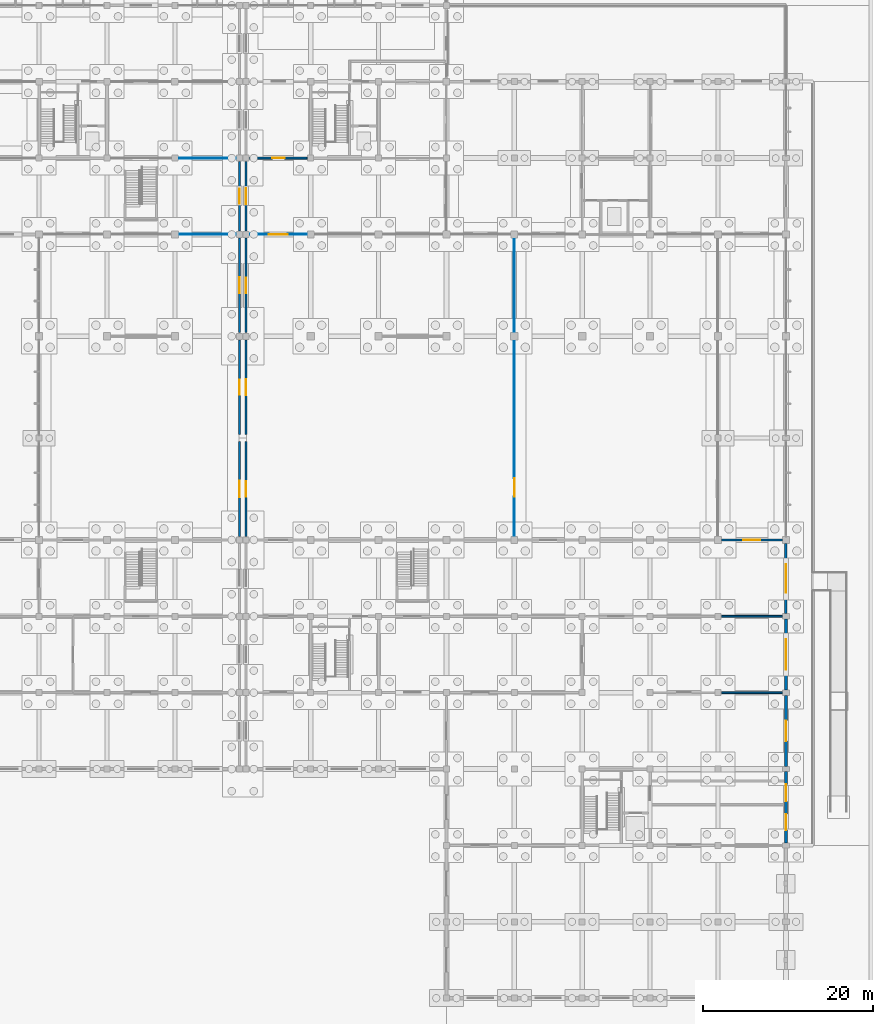
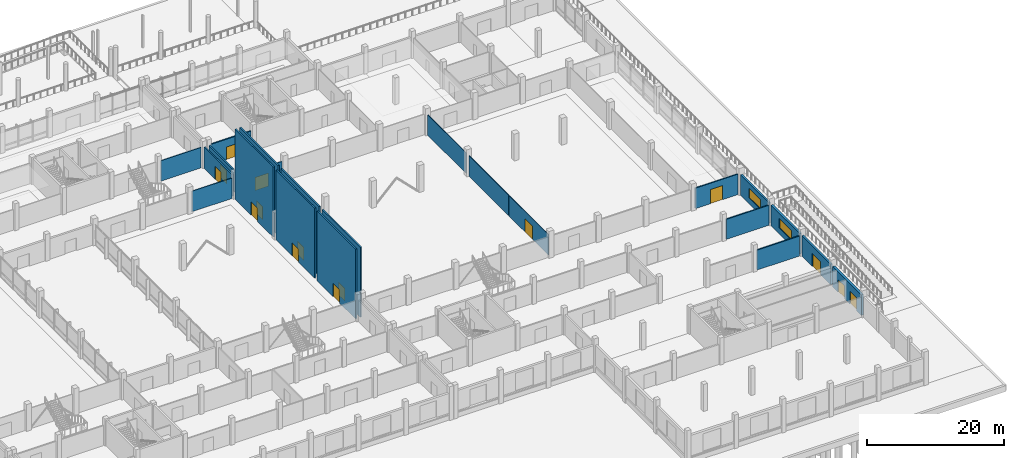
# One storey, part 54 of 72: 22 walls, 15 doors, 2 windows, 17 openings.
"""IFC4 building model written with IfcOpenShell, lengths in metres."""

from ifc_helpers import new_model, si_unit, direction, frame, frame_2d, origin, place, context, subcontext, project, spatial, rectangle, extrude, material, layer, layer_set, type_object, element, fill, save


model = new_model("IFC4")

# Units and contexts
model_context = context("Model", 3, precision=1e-05, world=origin(), true_north=direction((0.0, 1.0)))
body_context = subcontext(model_context, "Body", "Model", "MODEL_VIEW")
ifc_project = project(units=[si_unit("LENGTHUNIT", "METRE"), si_unit("AREAUNIT", "SQUARE_METRE"), si_unit("VOLUMEUNIT", "CUBIC_METRE"), si_unit("PLANEANGLEUNIT", "RADIAN"), si_unit("MASSUNIT", "GRAM", prefix="KILO"), si_unit("THERMODYNAMICTEMPERATUREUNIT", "KELVIN"), si_unit("POWERUNIT", "WATT")], contexts=[model_context])

# Site, building, storey
site_placement = place(None, origin())
site = spatial("IfcSite", under=ifc_project, at=site_placement, CompositionType="ELEMENT")
building_placement = place(site_placement, origin())
building = spatial("IfcBuilding", under=site, at=building_placement, Name="Kronsvod Quay Wholesale Market", CompositionType="ELEMENT")
storey_placement = place(building_placement, origin())
storey = spatial("IfcBuildingStorey", under=building, at=storey_placement, Name="L00", CompositionType="ELEMENT", Elevation=0.0)

# Wall, opening, door
ifc_material_1 = material(Name="Polyisocyanurate insulated cold-room panel")
ifc_layer_1 = layer(ifc_material_1, 0.195068359375)
ifc_layer_set_1 = layer_set([ifc_layer_1], Name="Polyisocyanurate insulated cold-room panel")
wall_type_1 = type_object("IfcWallType", Name="Wall_ColdInsul195", PredefinedType="PARTITIONING", material=ifc_layer_set_1)
wall_1_placement = place(storey_placement, frame((184.419921875, 54.0, 0.0), z_axis=(0.0, 0.0, 1.0), x_axis=(1.0, 0.0, 0.0)))
wall_1 = element("IfcWall", 1, at=wall_1_placement, inside=storey, type_object=wall_type_1, Name="PW-L00-0106", PredefinedType="PARTITIONING", context=body_context, shape_type="SweptSolid", body=[
    extrude(rectangle(XDim=7.16015625, YDim=0.195068359375, at=frame_2d((3.580078125, 0.0))), origin(), (0.0, 0.0, 1.0), 3.64990234375),
])
opening_1_placement = place(wall_1_placement, frame((2.580078125, 0.0, 0.0)))
opening_1 = element("IfcOpeningElement", 2, at=opening_1_placement, cuts=wall_1, Name="Opening D-0182", PredefinedType="OPENING", context=body_context, shape_type="SweptSolid", body=[
    extrude(rectangle(XDim=2.0, YDim=2.52001953125, at=frame_2d((1.0, 1.260009765625))), frame((0.0, 0.107421875, 0.0), z_axis=(0.0, -1.0, 0.0), x_axis=(1.0, 0.0, 0.0)), (0.0, 0.0, 1.0), 0.215087890625),
])
ifc_material_2 = material(Name="Insulated stainless cold-store door", Category="steel")
door_type_1 = type_object("IfcDoorType", Name="Door_ColdSlide200x252", OperationType="SLIDING_TO_RIGHT", PredefinedType="DOOR", material=ifc_material_2)
door_1_placement = place(opening_1_placement, origin())
door_1 = element("IfcDoor", 3, at=door_1_placement, inside=storey, type_object=door_type_1, Name="Interior Door D-0182", OperationType="SLIDING_TO_LEFT", OverallHeight=2.52001953125, OverallWidth=2.0, PredefinedType="DOOR", context=body_context, shape_type="SweptSolid", body=[
    extrude(rectangle(XDim=2.0, YDim=2.52001953125, at=frame_2d((1.0, 1.260009765625))), frame((0.0, 0.02490234375, 0.0), z_axis=(0.0, -1.0, 0.0), x_axis=(1.0, 0.0, 0.0)), (0.0, 0.0, 1.0), 0.050048828125),
])
fill(opening_1, door_1)

# Wall
ifc_material_3 = material(Name="Polyisocyanurate insulated cold-room panel")
ifc_layer_2 = layer(ifc_material_3, 0.2099609375)
ifc_layer_set_2 = layer_set([ifc_layer_2], Name="Polyisocyanurate insulated cold-room panel")
wall_type_2 = type_object("IfcWallType", Name="Wall_ColdInsul210", PredefinedType="PARTITIONING", material=ifc_layer_set_2)
wall_2_placement = place(storey_placement, frame((184.419921875, 45.0, 0.0), z_axis=(0.0, 0.0, 1.0), x_axis=(1.0, 0.0, 0.0)))
element("IfcWall", 4, at=wall_2_placement, inside=storey, type_object=wall_type_2, Name="PW-L00-0076", PredefinedType="PARTITIONING", context=body_context, shape_type="SweptSolid", body=[
    extrude(rectangle(XDim=7.16015625, YDim=0.2099609375, at=frame_2d((3.580078125, 0.0))), origin(), (0.0, 0.0, 1.0), 3.550048828125),
])

# Wall, openings, doors
ifc_material_4 = material(Name="Precast concrete C40/50", Category="concrete")
ifc_layer_3 = layer(ifc_material_4, 0.340087890625)
ifc_layer_set_3 = layer_set([ifc_layer_3], Name="Precast concrete C40/50")
wall_type_3 = type_object("IfcWallType", Name="Wall_ExtColdSandwich340", PredefinedType="SOLIDWALL", material=ifc_layer_set_3)
wall_3_placement = place(storey_placement, frame((192.0, 18.304931640625, 0.0), z_axis=(0.0, 0.0, 1.0), x_axis=(0.0, 1.0, 0.0)))
wall_3 = element("IfcWall", 5, at=wall_3_placement, inside=storey, type_object=wall_type_3, Name="EW-Y-L00-0094", PredefinedType="SOLIDWALL", context=body_context, shape_type="SweptSolid", body=[
    extrude(rectangle(XDim=8.39013671875, YDim=0.340087890625, at=frame_2d((4.195068359375, 0.0))), origin(), (0.0, 0.0, 1.0), 3.64990234375),
])
opening_2_placement = place(wall_3_placement, frame((1.5, 0.0, 0.0)))
opening_2 = element("IfcOpeningElement", 6, at=opening_2_placement, cuts=wall_3, Name="Opening ED-049", PredefinedType="OPENING", context=body_context, shape_type="SweptSolid", body=[
    extrude(rectangle(XDim=1.89990234375, YDim=2.300048828125, at=frame_2d((0.949951171875, 1.14990234375))), frame((0.0, 0.18017578125, 0.0), z_axis=(0.0, -1.0, 0.0), x_axis=(1.0, 0.0, 0.0)), (0.0, 0.0, 1.0), 0.360107421875),
])
opening_3_placement = place(wall_3_placement, frame((4.89501953125, 0.0, 0.0)))
opening_3 = element("IfcOpeningElement", 7, at=opening_3_placement, cuts=wall_3, Name="Opening ED-062", PredefinedType="OPENING", context=body_context, shape_type="SweptSolid", body=[
    extrude(rectangle(XDim=2.0, YDim=2.25, at=frame_2d((1.0, 1.125))), frame((0.0, 0.18017578125, 0.0), z_axis=(0.0, -1.0, 0.0), x_axis=(1.0, 0.0, 0.0)), (0.0, 0.0, 1.0), 0.360107421875),
])
ifc_material_5 = material(Name="Aluminium and safety glass", Category="aluminium")
door_type_2 = type_object("IfcDoorType", Name="Door_ExitDouble200x225", OperationType="DOUBLE_DOOR_SINGLE_SWING", PredefinedType="DOOR", material=ifc_material_5)
door_2_placement = place(opening_3_placement, frame((2.0, 0.0, 0.0), z_axis=(0.0, 0.0, 1.0), x_axis=(-1.0, 0.0, 0.0)))
door_2 = element("IfcDoor", 8, at=door_2_placement, inside=storey, type_object=door_type_2, Name="Street Exit Door ED-062", OperationType="DOUBLE_DOOR_SINGLE_SWING", OverallHeight=2.25, OverallWidth=2.0, PredefinedType="DOOR", context=body_context, shape_type="SweptSolid", body=[
    extrude(rectangle(XDim=2.0, YDim=2.25, at=frame_2d((1.0, 1.125))), frame((0.0, 0.02490234375, 0.0), z_axis=(0.0, -1.0, 0.0), x_axis=(1.0, 0.0, 0.0)), (0.0, 0.0, 1.0), 0.050048828125),
])
fill(opening_3, door_2)
ifc_material_6 = material(Name="Acoustic louvre painted steel", Category="steel")
door_type_3 = type_object("IfcDoorType", Name="Door_PlantDouble190x230", OperationType="DOUBLE_DOOR_SINGLE_SWING", PredefinedType="DOOR", material=ifc_material_6)
door_3_placement = place(opening_2_placement, frame((1.89990234375, 0.0, 0.0), z_axis=(0.0, 0.0, 1.0), x_axis=(-1.0, 0.0, 0.0)))
door_3 = element("IfcDoor", 9, at=door_3_placement, inside=storey, type_object=door_type_3, Name="Plant Service Exit Door ED-049", OperationType="DOUBLE_DOOR_SINGLE_SWING", OverallHeight=2.300048828125, OverallWidth=1.89990234375, PredefinedType="DOOR", context=body_context, shape_type="SweptSolid", body=[
    extrude(rectangle(XDim=1.89990234375, YDim=2.300048828125, at=frame_2d((0.949951171875, 1.14990234375))), frame((0.0, 0.02490234375, 0.0), z_axis=(0.0, -1.0, 0.0), x_axis=(1.0, 0.0, 0.0)), (0.0, 0.0, 1.0), 0.050048828125),
])
fill(opening_2, door_3)

# Wall, opening, door
wall_4_placement = place(storey_placement, frame((192.0, 27.304931640625, 0.0), z_axis=(0.0, 0.0, 1.0), x_axis=(0.0, 1.0, 0.0)))
wall_4 = element("IfcWall", 10, at=wall_4_placement, inside=storey, type_object=wall_type_3, Name="EW-Y-L00-0095", PredefinedType="SOLIDWALL", context=body_context, shape_type="SweptSolid", body=[
    extrude(rectangle(XDim=8.39013671875, YDim=0.340087890625, at=frame_2d((4.195068359375, 0.0))), origin(), (0.0, 0.0, 1.0), 3.64990234375),
])
opening_4_placement = place(wall_4_placement, frame((2.9951171875, 0.0, 0.0)))
opening_4 = element("IfcOpeningElement", 11, at=opening_4_placement, cuts=wall_4, Name="Opening ED-050", PredefinedType="OPENING", context=body_context, shape_type="SweptSolid", body=[
    extrude(rectangle(XDim=2.39990234375, YDim=2.300048828125, at=frame_2d((1.199951171875, 1.14990234375))), frame((0.0, 0.18017578125, 0.0), z_axis=(0.0, -1.0, 0.0), x_axis=(1.0, 0.0, 0.0)), (0.0, 0.0, 1.0), 0.360107421875),
])
ifc_material_7 = material(Name="Aluminium and safety glass", Category="aluminium")
door_type_4 = type_object("IfcDoorType", Name="Door_ExitDouble240x230", OperationType="DOUBLE_DOOR_SINGLE_SWING", PredefinedType="DOOR", material=ifc_material_7)
door_4_placement = place(opening_4_placement, frame((2.39990234375, 0.0, 0.0), z_axis=(0.0, 0.0, 1.0), x_axis=(-1.0, 0.0, 0.0)))
door_4 = element("IfcDoor", 12, at=door_4_placement, inside=storey, type_object=door_type_4, Name="Street Exit Door ED-050", OperationType="DOUBLE_DOOR_SINGLE_SWING", OverallHeight=2.300048828125, OverallWidth=2.39990234375, PredefinedType="DOOR", context=body_context, shape_type="SweptSolid", body=[
    extrude(rectangle(XDim=2.39990234375, YDim=2.300048828125, at=frame_2d((1.199951171875, 1.14990234375))), frame((0.0, 0.02490234375, 0.0), z_axis=(0.0, -1.0, 0.0), x_axis=(1.0, 0.0, 0.0)), (0.0, 0.0, 1.0), 0.050048828125),
])
fill(opening_4, door_4)

# Wall, opening, window
wall_5_placement = place(storey_placement, frame((192.0, 36.304931640625, 0.0), z_axis=(0.0, 0.0, 1.0), x_axis=(0.0, 1.0, 0.0)))
wall_5 = element("IfcWall", 13, at=wall_5_placement, inside=storey, type_object=wall_type_3, Name="EW-Y-L00-0096", PredefinedType="SOLIDWALL", context=body_context, shape_type="SweptSolid", body=[
    extrude(rectangle(XDim=8.39013671875, YDim=0.340087890625, at=frame_2d((4.195068359375, 0.0))), origin(), (0.0, 0.0, 1.0), 3.64990234375),
])
opening_5_placement = place(wall_5_placement, frame((2.39501953125, 0.0, 1.0)))
opening_5 = element("IfcOpeningElement", 14, at=opening_5_placement, cuts=wall_5, Name="Opening WIN-01", PredefinedType="OPENING", context=body_context, shape_type="SweptSolid", body=[
    extrude(rectangle(XDim=3.60009765625, YDim=1.699951171875, at=frame_2d((1.800048828125, 0.85009765625))), frame((0.0, 0.18017578125, 0.0), z_axis=(0.0, -1.0, 0.0), x_axis=(1.0, 0.0, 0.0)), (0.0, 0.0, 1.0), 0.360107421875),
])
ifc_material_8 = material(Name="Thermally broken aluminium and triple low-E glazing", Category="aluminium")
window_type_1 = type_object("IfcWindowType", Name="Win_W01", PartitioningType="TRIPLE_PANEL_HORIZONTAL", PredefinedType="WINDOW", material=ifc_material_8)
window_1_placement = place(opening_5_placement, origin())
window_1 = element("IfcWindow", 15, at=window_1_placement, inside=storey, type_object=window_type_1, Name="WIN-Y-L00-0001", OverallHeight=1.699951171875, OverallWidth=3.60009765625, PartitioningType="SINGLE_PANEL", PredefinedType="WINDOW", context=body_context, shape_type="SweptSolid", body=[
    extrude(rectangle(XDim=3.60009765625, YDim=1.699951171875, at=frame_2d((1.800048828125, 0.85009765625))), frame((0.0, 0.030029296875, 0.0), z_axis=(0.0, -1.0, 0.0), x_axis=(1.0, 0.0, 0.0)), (0.0, 0.0, 1.0), 0.06005859375),
])
fill(opening_5, window_1)

ifc_material_9 = material(Name="Precast concrete C40/50", Category="concrete")
ifc_layer_4 = layer(ifc_material_9, 0.300048828125)
ifc_layer_set_4 = layer_set([ifc_layer_4], Name="Precast concrete C40/50")
wall_type_4 = type_object("IfcWallType", Name="Wall_ExtPrecast300", PredefinedType="SOLIDWALL", material=ifc_layer_set_4)
wall_6_placement = place(storey_placement, frame((192.0, 45.304931640625, 0.0), z_axis=(0.0, 0.0, 1.0), x_axis=(0.0, 1.0, 0.0)))
wall_6 = element("IfcWall", 16, at=wall_6_placement, inside=storey, type_object=wall_type_4, Name="EW-Y-L00-0097", PredefinedType="SOLIDWALL", context=body_context, shape_type="SweptSolid", body=[
    extrude(rectangle(XDim=8.300048828125, YDim=0.300048828125, at=frame_2d((4.14990234375, 0.0))), origin(), (0.0, 0.0, 1.0), 3.64990234375),
])
opening_6_placement = place(wall_6_placement, frame((2.449951171875, 0.0, 1.0)))
opening_6 = element("IfcOpeningElement", 17, at=opening_6_placement, cuts=wall_6, Name="Opening WIN-02", PredefinedType="OPENING", context=body_context, shape_type="SweptSolid", body=[
    extrude(rectangle(XDim=3.39990234375, YDim=1.699951171875, at=frame_2d((1.699951171875, 0.85009765625))), frame((0.0, 0.16015625, 0.0), z_axis=(0.0, -1.0, 0.0), x_axis=(1.0, 0.0, 0.0)), (0.0, 0.0, 1.0), 0.320068359375),
])
ifc_material_10 = material(Name="Thermally broken aluminium and triple low-E glazing", Category="aluminium")
window_type_2 = type_object("IfcWindowType", Name="Win_W02", PartitioningType="TRIPLE_PANEL_HORIZONTAL", PredefinedType="WINDOW", material=ifc_material_10)
window_2_placement = place(opening_6_placement, origin())
window_2 = element("IfcWindow", 18, at=window_2_placement, inside=storey, type_object=window_type_2, Name="WIN-Y-L00-0002", OverallHeight=1.699951171875, OverallWidth=3.39990234375, PartitioningType="SINGLE_PANEL", PredefinedType="WINDOW", context=body_context, shape_type="SweptSolid", body=[
    extrude(rectangle(XDim=3.39990234375, YDim=1.699951171875, at=frame_2d((1.699951171875, 0.85009765625))), frame((0.0, 0.030029296875, 0.0), z_axis=(0.0, -1.0, 0.0), x_axis=(1.0, 0.0, 0.0)), (0.0, 0.0, 1.0), 0.06005859375),
])
fill(opening_6, window_2)

# Wall, opening, door
ifc_material_11 = material(Name="Precast concrete C40/50", Category="concrete")
ifc_layer_5 = layer(ifc_material_11, 0.239990234375)
ifc_layer_set_5 = layer_set([ifc_layer_5], Name="Precast concrete C40/50")
wall_type_5 = type_object("IfcWallType", Name="Wall_ExtSpandrel240", PredefinedType="SOLIDWALL", material=ifc_layer_set_5)
wall_7_placement = place(storey_placement, frame((127.60009765625, 54.419921875, 0.0), z_axis=(0.0, 0.0, 1.0), x_axis=(0.0, 1.0, 0.0)))
wall_7 = element("IfcWall", 19, at=wall_7_placement, inside=storey, type_object=wall_type_5, Name="MJWG-L00-1276-540", PredefinedType="SOLIDWALL", context=body_context, shape_type="SweptSolid", body=[
    extrude(rectangle(XDim=11.16015625, YDim=0.239990234375, at=frame_2d((5.580078125, 0.0))), origin(), (0.0, 0.0, 1.0), 12.43408203125),
])
opening_7_placement = place(wall_7_placement, frame((4.6298828125, 0.0, 0.0)))
opening_7 = element("IfcOpeningElement", 20, at=opening_7_placement, cuts=wall_7, Name="Opening D-0335", PredefinedType="OPENING", context=body_context, shape_type="SweptSolid", body=[
    extrude(rectangle(XDim=1.89990234375, YDim=2.35009765625, at=frame_2d((0.949951171875, 1.175048828125))), frame((0.0, 0.1298828125, 0.0), z_axis=(0.0, -1.0, 0.0), x_axis=(1.0, 0.0, 0.0)), (0.0, 0.0, 1.0), 0.260009765625),
])
ifc_material_12 = material(Name="Painted galvanized fire steel", Category="steel")
door_type_5 = type_object("IfcDoorType", Name="Door_FireComp190x235", OperationType="DOUBLE_DOOR_SINGLE_SWING", PredefinedType="DOOR", material=ifc_material_12)
door_5_placement = place(opening_7_placement, origin())
door_5 = element("IfcDoor", 21, at=door_5_placement, inside=storey, type_object=door_type_5, Name="Fire Compartment Door D-0335", OperationType="DOUBLE_DOOR_SINGLE_SWING", OverallHeight=2.35009765625, OverallWidth=1.89990234375, PredefinedType="DOOR", context=body_context, shape_type="SweptSolid", body=[
    extrude(rectangle(XDim=1.89990234375, YDim=2.35009765625, at=frame_2d((0.949951171875, 1.175048828125))), frame((0.0, 0.02490234375, 0.0), z_axis=(0.0, -1.0, 0.0), x_axis=(1.0, 0.0, 0.0)), (0.0, 0.0, 1.0), 0.050048828125),
])
fill(opening_7, door_5)

wall_8_placement = place(storey_placement, frame((127.60009765625, 66.419921875, 0.0), z_axis=(0.0, 0.0, 1.0), x_axis=(0.0, 1.0, 0.0)))
wall_8 = element("IfcWall", 22, at=wall_8_placement, inside=storey, type_object=wall_type_5, Name="MJWG-L00-1276-660", PredefinedType="SOLIDWALL", context=body_context, shape_type="SweptSolid", body=[
    extrude(rectangle(XDim=11.16015625, YDim=0.239990234375, at=frame_2d((5.580078125, 0.0))), origin(), (0.0, 0.0, 1.0), 12.43408203125),
])
opening_8_placement = place(wall_8_placement, frame((4.679931640625, 0.0, 0.0)))
opening_8 = element("IfcOpeningElement", 23, at=opening_8_placement, cuts=wall_8, Name="Opening D-0336", PredefinedType="OPENING", context=body_context, shape_type="SweptSolid", body=[
    extrude(rectangle(XDim=1.800048828125, YDim=2.300048828125, at=frame_2d((0.89990234375, 1.14990234375))), frame((0.0, 0.1298828125, 0.0), z_axis=(0.0, -1.0, 0.0), x_axis=(1.0, 0.0, 0.0)), (0.0, 0.0, 1.0), 0.260009765625),
])
ifc_material_13 = material(Name="Painted galvanized fire steel", Category="steel")
door_type_6 = type_object("IfcDoorType", Name="Door_FireComp180x230", OperationType="DOUBLE_DOOR_SINGLE_SWING", PredefinedType="DOOR", material=ifc_material_13)
door_6_placement = place(opening_8_placement, origin())
door_6 = element("IfcDoor", 24, at=door_6_placement, inside=storey, type_object=door_type_6, Name="Fire Compartment Door D-0336", OperationType="DOUBLE_DOOR_SINGLE_SWING", OverallHeight=2.300048828125, OverallWidth=1.800048828125, PredefinedType="DOOR", context=body_context, shape_type="SweptSolid", body=[
    extrude(rectangle(XDim=1.800048828125, YDim=2.300048828125, at=frame_2d((0.89990234375, 1.14990234375))), frame((0.0, 0.02490234375, 0.0), z_axis=(0.0, -1.0, 0.0), x_axis=(1.0, 0.0, 0.0)), (0.0, 0.0, 1.0), 0.050048828125),
])
fill(opening_8, door_6)

wall_9_placement = place(storey_placement, frame((127.60009765625, 78.419921875, 0.0), z_axis=(0.0, 0.0, 1.0), x_axis=(0.0, 1.0, 0.0)))
wall_9 = element("IfcWall", 25, at=wall_9_placement, inside=storey, type_object=wall_type_5, Name="MJWG-L00-1276-780", PredefinedType="SOLIDWALL", context=body_context, shape_type="SweptSolid", body=[
    extrude(rectangle(XDim=11.16015625, YDim=0.239990234375, at=frame_2d((5.580078125, 0.0))), origin(), (0.0, 0.0, 1.0), 12.48388671875),
])
opening_9_placement = place(wall_9_placement, frame((4.6298828125, 0.0, 0.0)))
opening_9 = element("IfcOpeningElement", 26, at=opening_9_placement, cuts=wall_9, Name="Opening D-0337", PredefinedType="OPENING", context=body_context, shape_type="SweptSolid", body=[
    extrude(rectangle(XDim=1.89990234375, YDim=2.35009765625, at=frame_2d((0.949951171875, 1.175048828125))), frame((0.0, 0.1298828125, 0.0), z_axis=(0.0, -1.0, 0.0), x_axis=(1.0, 0.0, 0.0)), (0.0, 0.0, 1.0), 0.260009765625),
])
door_7_placement = place(opening_9_placement, origin())
door_7 = element("IfcDoor", 27, at=door_7_placement, inside=storey, type_object=door_type_5, Name="Fire Compartment Door D-0337", OperationType="DOUBLE_DOOR_SINGLE_SWING", OverallHeight=2.35009765625, OverallWidth=1.89990234375, PredefinedType="DOOR", context=body_context, shape_type="SweptSolid", body=[
    extrude(rectangle(XDim=1.89990234375, YDim=2.35009765625, at=frame_2d((0.949951171875, 1.175048828125))), frame((0.0, 0.02490234375, 0.0), z_axis=(0.0, -1.0, 0.0), x_axis=(1.0, 0.0, 0.0)), (0.0, 0.0, 1.0), 0.050048828125),
])
fill(opening_9, door_7)

wall_10_placement = place(storey_placement, frame((127.60009765625, 90.419921875, 0.0), z_axis=(0.0, 0.0, 1.0), x_axis=(0.0, 1.0, 0.0)))
wall_10 = element("IfcWall", 28, at=wall_10_placement, inside=storey, type_object=wall_type_5, Name="MJWG-L00-1276-900", PredefinedType="SOLIDWALL", context=body_context, shape_type="SweptSolid", body=[
    extrude(rectangle(XDim=8.16015625, YDim=0.239990234375, at=frame_2d((4.080078125, 0.0))), origin(), (0.0, 0.0, 1.0), 3.820068359375),
])
opening_10_placement = place(wall_10_placement, frame((3.179931640625, 0.0, 0.0)))
opening_10 = element("IfcOpeningElement", 29, at=opening_10_placement, cuts=wall_10, Name="Opening D-0338", PredefinedType="OPENING", context=body_context, shape_type="SweptSolid", body=[
    extrude(rectangle(XDim=1.800048828125, YDim=2.300048828125, at=frame_2d((0.89990234375, 1.14990234375))), frame((0.0, 0.1298828125, 0.0), z_axis=(0.0, -1.0, 0.0), x_axis=(1.0, 0.0, 0.0)), (0.0, 0.0, 1.0), 0.260009765625),
])
door_8_placement = place(opening_10_placement, origin())
door_8 = element("IfcDoor", 30, at=door_8_placement, inside=storey, type_object=door_type_6, Name="Fire Compartment Door D-0338", OperationType="DOUBLE_DOOR_SINGLE_SWING", OverallHeight=2.300048828125, OverallWidth=1.800048828125, PredefinedType="DOOR", context=body_context, shape_type="SweptSolid", body=[
    extrude(rectangle(XDim=1.800048828125, YDim=2.300048828125, at=frame_2d((0.89990234375, 1.14990234375))), frame((0.0, 0.02490234375, 0.0), z_axis=(0.0, -1.0, 0.0), x_axis=(1.0, 0.0, 0.0)), (0.0, 0.0, 1.0), 0.050048828125),
])
fill(opening_10, door_8)

wall_11_placement = place(storey_placement, frame((128.39990234375, 54.419921875, 0.0), z_axis=(0.0, 0.0, 1.0), x_axis=(0.0, 1.0, 0.0)))
wall_11 = element("IfcWall", 31, at=wall_11_placement, inside=storey, type_object=wall_type_5, Name="MJWG-L00-1284-540", PredefinedType="SOLIDWALL", context=body_context, shape_type="SweptSolid", body=[
    extrude(rectangle(XDim=11.16015625, YDim=0.239990234375, at=frame_2d((5.580078125, 0.0))), origin(), (0.0, 0.0, 1.0), 12.43408203125),
])
opening_11_placement = place(wall_11_placement, frame((4.679931640625, 0.0, 0.0)))
opening_11 = element("IfcOpeningElement", 32, at=opening_11_placement, cuts=wall_11, Name="Opening D-0344", PredefinedType="OPENING", context=body_context, shape_type="SweptSolid", body=[
    extrude(rectangle(XDim=1.800048828125, YDim=2.300048828125, at=frame_2d((0.89990234375, 1.14990234375))), frame((0.0, 0.1298828125, 0.0), z_axis=(0.0, -1.0, 0.0), x_axis=(1.0, 0.0, 0.0)), (0.0, 0.0, 1.0), 0.260009765625),
])
door_9_placement = place(opening_11_placement, origin())
door_9 = element("IfcDoor", 33, at=door_9_placement, inside=storey, type_object=door_type_6, Name="Fire Compartment Door D-0344", OperationType="DOUBLE_DOOR_SINGLE_SWING", OverallHeight=2.300048828125, OverallWidth=1.800048828125, PredefinedType="DOOR", context=body_context, shape_type="SweptSolid", body=[
    extrude(rectangle(XDim=1.800048828125, YDim=2.300048828125, at=frame_2d((0.89990234375, 1.14990234375))), frame((0.0, 0.02490234375, 0.0), z_axis=(0.0, -1.0, 0.0), x_axis=(1.0, 0.0, 0.0)), (0.0, 0.0, 1.0), 0.050048828125),
])
fill(opening_11, door_9)

wall_12_placement = place(storey_placement, frame((128.39990234375, 66.419921875, 0.0), z_axis=(0.0, 0.0, 1.0), x_axis=(0.0, 1.0, 0.0)))
wall_12 = element("IfcWall", 34, at=wall_12_placement, inside=storey, type_object=wall_type_5, Name="MJWG-L00-1284-660", PredefinedType="SOLIDWALL", context=body_context, shape_type="SweptSolid", body=[
    extrude(rectangle(XDim=11.16015625, YDim=0.239990234375, at=frame_2d((5.580078125, 0.0))), origin(), (0.0, 0.0, 1.0), 12.43408203125),
])
opening_12_placement = place(wall_12_placement, frame((4.6298828125, 0.0, 0.0)))
opening_12 = element("IfcOpeningElement", 35, at=opening_12_placement, cuts=wall_12, Name="Opening D-0345", PredefinedType="OPENING", context=body_context, shape_type="SweptSolid", body=[
    extrude(rectangle(XDim=1.89990234375, YDim=2.35009765625, at=frame_2d((0.949951171875, 1.175048828125))), frame((0.0, 0.1298828125, 0.0), z_axis=(0.0, -1.0, 0.0), x_axis=(1.0, 0.0, 0.0)), (0.0, 0.0, 1.0), 0.260009765625),
])
door_10_placement = place(opening_12_placement, origin())
door_10 = element("IfcDoor", 36, at=door_10_placement, inside=storey, type_object=door_type_5, Name="Fire Compartment Door D-0345", OperationType="DOUBLE_DOOR_SINGLE_SWING", OverallHeight=2.35009765625, OverallWidth=1.89990234375, PredefinedType="DOOR", context=body_context, shape_type="SweptSolid", body=[
    extrude(rectangle(XDim=1.89990234375, YDim=2.35009765625, at=frame_2d((0.949951171875, 1.175048828125))), frame((0.0, 0.02490234375, 0.0), z_axis=(0.0, -1.0, 0.0), x_axis=(1.0, 0.0, 0.0)), (0.0, 0.0, 1.0), 0.050048828125),
])
fill(opening_12, door_10)

wall_13_placement = place(storey_placement, frame((128.39990234375, 78.419921875, 0.0), z_axis=(0.0, 0.0, 1.0), x_axis=(0.0, 1.0, 0.0)))
wall_13 = element("IfcWall", 37, at=wall_13_placement, inside=storey, type_object=wall_type_5, Name="MJWG-L00-1284-780", PredefinedType="SOLIDWALL", context=body_context, shape_type="SweptSolid", body=[
    extrude(rectangle(XDim=11.16015625, YDim=0.239990234375, at=frame_2d((5.580078125, 0.0))), origin(), (0.0, 0.0, 1.0), 12.48388671875),
])
opening_13_placement = place(wall_13_placement, frame((4.679931640625, 0.0, 0.0)))
opening_13 = element("IfcOpeningElement", 38, at=opening_13_placement, cuts=wall_13, Name="Opening D-0346", PredefinedType="OPENING", context=body_context, shape_type="SweptSolid", body=[
    extrude(rectangle(XDim=1.800048828125, YDim=2.300048828125, at=frame_2d((0.89990234375, 1.14990234375))), frame((0.0, 0.1298828125, 0.0), z_axis=(0.0, -1.0, 0.0), x_axis=(1.0, 0.0, 0.0)), (0.0, 0.0, 1.0), 0.260009765625),
])
door_11_placement = place(opening_13_placement, origin())
door_11 = element("IfcDoor", 39, at=door_11_placement, inside=storey, type_object=door_type_6, Name="Fire Compartment Door D-0346", OperationType="DOUBLE_DOOR_SINGLE_SWING", OverallHeight=2.300048828125, OverallWidth=1.800048828125, PredefinedType="DOOR", context=body_context, shape_type="SweptSolid", body=[
    extrude(rectangle(XDim=1.800048828125, YDim=2.300048828125, at=frame_2d((0.89990234375, 1.14990234375))), frame((0.0, 0.02490234375, 0.0), z_axis=(0.0, -1.0, 0.0), x_axis=(1.0, 0.0, 0.0)), (0.0, 0.0, 1.0), 0.050048828125),
])
fill(opening_13, door_11)

wall_14_placement = place(storey_placement, frame((128.39990234375, 90.419921875, 0.0), z_axis=(0.0, 0.0, 1.0), x_axis=(0.0, 1.0, 0.0)))
wall_14 = element("IfcWall", 40, at=wall_14_placement, inside=storey, type_object=wall_type_5, Name="MJWG-L00-1284-900", PredefinedType="SOLIDWALL", context=body_context, shape_type="SweptSolid", body=[
    extrude(rectangle(XDim=8.16015625, YDim=0.239990234375, at=frame_2d((4.080078125, 0.0))), origin(), (0.0, 0.0, 1.0), 3.820068359375),
])
opening_14_placement = place(wall_14_placement, frame((3.1298828125, 0.0, 0.0)))
opening_14 = element("IfcOpeningElement", 41, at=opening_14_placement, cuts=wall_14, Name="Opening D-0347", PredefinedType="OPENING", context=body_context, shape_type="SweptSolid", body=[
    extrude(rectangle(XDim=1.89990234375, YDim=2.35009765625, at=frame_2d((0.949951171875, 1.175048828125))), frame((0.0, 0.1298828125, 0.0), z_axis=(0.0, -1.0, 0.0), x_axis=(1.0, 0.0, 0.0)), (0.0, 0.0, 1.0), 0.260009765625),
])
door_12_placement = place(opening_14_placement, origin())
door_12 = element("IfcDoor", 42, at=door_12_placement, inside=storey, type_object=door_type_5, Name="Fire Compartment Door D-0347", OperationType="DOUBLE_DOOR_SINGLE_SWING", OverallHeight=2.35009765625, OverallWidth=1.89990234375, PredefinedType="DOOR", context=body_context, shape_type="SweptSolid", body=[
    extrude(rectangle(XDim=1.89990234375, YDim=2.35009765625, at=frame_2d((0.949951171875, 1.175048828125))), frame((0.0, 0.02490234375, 0.0), z_axis=(0.0, -1.0, 0.0), x_axis=(1.0, 0.0, 0.0)), (0.0, 0.0, 1.0), 0.050048828125),
])
fill(opening_14, door_12)

# Wall
ifc_material_14 = material(Name="Concrete C35/45", Category="concrete")
ifc_layer_6 = layer(ifc_material_14, 0.219970703125)
ifc_layer_set_6 = layer_set([ifc_layer_6], Name="Concrete C35/45")
wall_type_6 = type_object("IfcWallType", Name="Wall_FireComp220", PredefinedType="SOLIDWALL", material=ifc_layer_set_6)
wall_15_placement = place(storey_placement, frame((184.419921875, 36.0, 0.0), z_axis=(0.0, 0.0, 1.0), x_axis=(1.0, 0.0, 0.0)))
element("IfcWall", 43, at=wall_15_placement, inside=storey, type_object=wall_type_6, Name="PW-L00-0056", PredefinedType="SOLIDWALL", context=body_context, shape_type="SweptSolid", body=[
    extrude(rectangle(XDim=7.16015625, YDim=0.219970703125, at=frame_2d((3.580078125, 0.0))), origin(), (0.0, 0.0, 1.0), 3.550048828125),
])

# Wall, opening, door
wall_16_placement = place(storey_placement, frame((128.820068359375, 99.0, 0.0), z_axis=(0.0, 0.0, 1.0), x_axis=(1.0, 0.0, 0.0)))
wall_16 = element("IfcWall", 44, at=wall_16_placement, inside=storey, type_object=wall_type_6, Name="PW-L00-0136", PredefinedType="SOLIDWALL", context=body_context, shape_type="SweptSolid", body=[
    extrude(rectangle(XDim=6.760009765625, YDim=0.219970703125, at=frame_2d((3.3798828125, 0.0))), origin(), (0.0, 0.0, 1.0), 3.64990234375),
])
opening_15_placement = place(wall_16_placement, frame((2.6298828125, 0.0, 0.0)))
opening_15 = element("IfcOpeningElement", 45, at=opening_15_placement, cuts=wall_16, Name="Opening D-0201", PredefinedType="OPENING", context=body_context, shape_type="SweptSolid", body=[
    extrude(rectangle(XDim=1.5, YDim=2.25, at=frame_2d((0.75, 1.125))), frame((0.0, 0.1201171875, 0.0), z_axis=(0.0, -1.0, 0.0), x_axis=(1.0, 0.0, 0.0)), (0.0, 0.0, 1.0), 0.239990234375),
])
ifc_material_15 = material(Name="Painted steel plant door", Category="steel")
door_type_7 = type_object("IfcDoorType", Name="Door_Plant150x225", OperationType="DOUBLE_DOOR_SINGLE_SWING", PredefinedType="DOOR", material=ifc_material_15)
door_13_placement = place(opening_15_placement, origin())
door_13 = element("IfcDoor", 46, at=door_13_placement, inside=storey, type_object=door_type_7, Name="Interior Door D-0201", OperationType="DOUBLE_DOOR_SINGLE_SWING", OverallHeight=2.25, OverallWidth=1.5, PredefinedType="DOOR", context=body_context, shape_type="SweptSolid", body=[
    extrude(rectangle(XDim=1.5, YDim=2.25, at=frame_2d((0.75, 1.125))), frame((0.0, 0.02490234375, 0.0), z_axis=(0.0, -1.0, 0.0), x_axis=(1.0, 0.0, 0.0)), (0.0, 0.0, 1.0), 0.050048828125),
])
fill(opening_15, door_13)

ifc_material_16 = material(Name="Double-glazed gallery screen partition", Category="glass")
ifc_layer_7 = layer(ifc_material_16, 0.10791015625)
ifc_layer_set_7 = layer_set([ifc_layer_7], Name="Double-glazed gallery screen partition")
wall_type_7 = type_object("IfcWallType", Name="Wall_PartGlazed108", PredefinedType="PARTITIONING", material=ifc_layer_set_7)
wall_17_placement = place(storey_placement, frame((160.0, 54.419921875, 0.0), z_axis=(0.0, 0.0, 1.0), x_axis=(0.0, 1.0, 0.0)))
wall_17 = element("IfcWall", 47, at=wall_17_placement, inside=storey, type_object=wall_type_7, Name="PW-L00-0110", PredefinedType="PARTITIONING", context=body_context, shape_type="SweptSolid", body=[
    extrude(rectangle(XDim=11.5, YDim=0.10791015625, at=frame_2d((5.75, 0.0))), origin(), (0.0, 0.0, 1.0), 3.64990234375),
])
opening_16_placement = place(wall_17_placement, frame((4.675048828125, 0.0, 0.0)))
opening_16 = element("IfcOpeningElement", 48, at=opening_16_placement, cuts=wall_17, Name="Opening D-0184", PredefinedType="OPENING", context=body_context, shape_type="SweptSolid", body=[
    extrude(rectangle(XDim=2.14990234375, YDim=2.35009765625, at=frame_2d((1.074951171875, 1.175048828125))), frame((0.0, 0.06396484375, 0.0), z_axis=(0.0, -1.0, 0.0), x_axis=(1.0, 0.0, 0.0)), (0.0, 0.0, 1.0), 0.1279296875),
])
ifc_material_17 = material(Name="Glazed aluminium hall portal", Category="aluminium")
door_type_8 = type_object("IfcDoorType", Name="Door_HallPortal215x235", OperationType="DOUBLE_DOOR_SINGLE_SWING", PredefinedType="DOOR", material=ifc_material_17)
door_14_placement = place(opening_16_placement, origin())
door_14 = element("IfcDoor", 49, at=door_14_placement, inside=storey, type_object=door_type_8, Name="Interior Door D-0184", OperationType="DOUBLE_DOOR_SINGLE_SWING", OverallHeight=2.35009765625, OverallWidth=2.14990234375, PredefinedType="DOOR", context=body_context, shape_type="SweptSolid", body=[
    extrude(rectangle(XDim=2.14990234375, YDim=2.35009765625, at=frame_2d((1.074951171875, 1.175048828125))), frame((0.0, 0.02490234375, 0.0), z_axis=(0.0, -1.0, 0.0), x_axis=(1.0, 0.0, 0.0)), (0.0, 0.0, 1.0), 0.050048828125),
])
fill(opening_16, door_14)

# Walls
wall_18_placement = place(storey_placement, frame((160.0, 66.080078125, 0.0), z_axis=(0.0, 0.0, 1.0), x_axis=(0.0, 1.0, 0.0)))
element("IfcWall", 50, at=wall_18_placement, inside=storey, type_object=wall_type_7, Name="PW-L00-0111", PredefinedType="PARTITIONING", context=body_context, shape_type="SweptSolid", body=[
    extrude(rectangle(XDim=11.5, YDim=0.10791015625, at=frame_2d((5.75, 0.0))), origin(), (0.0, 0.0, 1.0), 3.64990234375),
])
wall_19_placement = place(storey_placement, frame((160.0, 78.419921875, 0.0), z_axis=(0.0, 0.0, 1.0), x_axis=(0.0, 1.0, 0.0)))
element("IfcWall", 51, at=wall_19_placement, inside=storey, type_object=wall_type_7, Name="PW-L00-0112", PredefinedType="PARTITIONING", context=body_context, shape_type="SweptSolid", body=[
    extrude(rectangle(XDim=11.16015625, YDim=0.10791015625, at=frame_2d((5.580078125, 0.0))), origin(), (0.0, 0.0, 1.0), 3.64990234375),
])

# Wall, opening, door
wall_20_placement = place(storey_placement, frame((128.820068359375, 90.0, 0.0), z_axis=(0.0, 0.0, 1.0), x_axis=(1.0, 0.0, 0.0)))
wall_20 = element("IfcWall", 52, at=wall_20_placement, inside=storey, type_object=wall_type_7, Name="PW-L00-0114", PredefinedType="PARTITIONING", context=body_context, shape_type="SweptSolid", body=[
    extrude(rectangle(XDim=6.760009765625, YDim=0.10791015625, at=frame_2d((3.3798828125, 0.0))), origin(), (0.0, 0.0, 1.0), 3.64990234375),
])
opening_17_placement = place(wall_20_placement, frame((2.2548828125, 0.0, 0.0)))
opening_17 = element("IfcOpeningElement", 53, at=opening_17_placement, cuts=wall_20, Name="Opening D-0186", PredefinedType="OPENING", context=body_context, shape_type="SweptSolid", body=[
    extrude(rectangle(XDim=2.25, YDim=2.3798828125, at=frame_2d((1.125, 1.18994140625))), frame((0.0, 0.06396484375, 0.0), z_axis=(0.0, -1.0, 0.0), x_axis=(1.0, 0.0, 0.0)), (0.0, 0.0, 1.0), 0.1279296875),
])
ifc_material_18 = material(Name="Glazed aluminium hall portal", Category="aluminium")
door_type_9 = type_object("IfcDoorType", Name="Door_HallPortal225x238", OperationType="DOUBLE_DOOR_SINGLE_SWING", PredefinedType="DOOR", material=ifc_material_18)
door_15_placement = place(opening_17_placement, origin())
door_15 = element("IfcDoor", 54, at=door_15_placement, inside=storey, type_object=door_type_9, Name="Interior Door D-0186", OperationType="DOUBLE_DOOR_SINGLE_SWING", OverallHeight=2.3798828125, OverallWidth=2.25, PredefinedType="DOOR", context=body_context, shape_type="SweptSolid", body=[
    extrude(rectangle(XDim=2.25, YDim=2.3798828125, at=frame_2d((1.125, 1.18994140625))), frame((0.0, 0.02490234375, 0.0), z_axis=(0.0, -1.0, 0.0), x_axis=(1.0, 0.0, 0.0)), (0.0, 0.0, 1.0), 0.050048828125),
])
fill(opening_17, door_15)

# Walls
wall_21_placement = place(storey_placement, frame((120.419921875, 99.0, 0.0), z_axis=(0.0, 0.0, 1.0), x_axis=(1.0, 0.0, 0.0)))
element("IfcWall", 55, at=wall_21_placement, inside=storey, type_object=wall_type_7, Name="PW-L00-0135", PredefinedType="PARTITIONING", context=body_context, shape_type="SweptSolid", body=[
    extrude(rectangle(XDim=6.760009765625, YDim=0.10791015625, at=frame_2d((3.3798828125, 0.0))), origin(), (0.0, 0.0, 1.0), 3.64990234375),
])
ifc_material_19 = material(Name="Framed acoustic glass hall partition", Category="glass")
ifc_layer_8 = layer(ifc_material_19, 0.114990234375)
ifc_layer_set_8 = layer_set([ifc_layer_8], Name="Framed acoustic glass hall partition")
wall_type_8 = type_object("IfcWallType", Name="Wall_PartGlazed115", PredefinedType="PARTITIONING", material=ifc_layer_set_8)
wall_22_placement = place(storey_placement, frame((120.419921875, 90.0, 0.0), z_axis=(0.0, 0.0, 1.0), x_axis=(1.0, 0.0, 0.0)))
element("IfcWall", 56, at=wall_22_placement, inside=storey, type_object=wall_type_8, Name="PW-L00-0109", PredefinedType="PARTITIONING", context=body_context, shape_type="SweptSolid", body=[
    extrude(rectangle(XDim=6.760009765625, YDim=0.114990234375, at=frame_2d((3.3798828125, 0.0))), origin(), (0.0, 0.0, 1.0), 3.64990234375),
])

save(model, "model.ifc")
